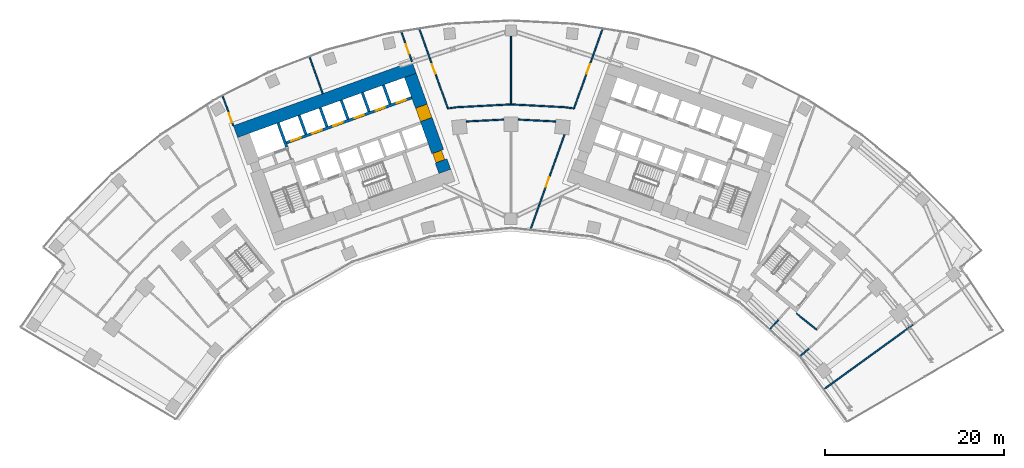
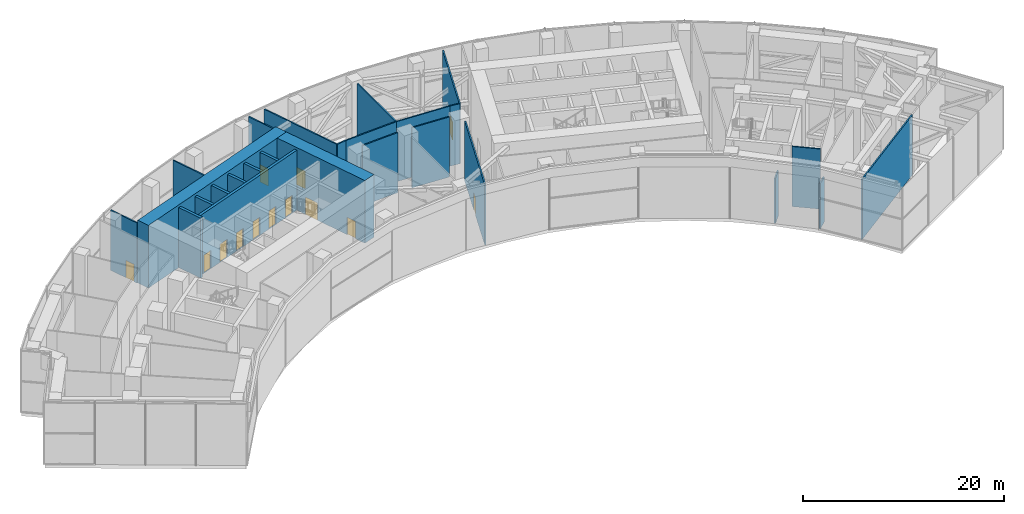
# One storey, part 26 of 33: 26 walls, 13 doors, 13 openings.
"""IFC4 building model written with IfcOpenShell, lengths in metres."""

from ifc_helpers import new_model, si_unit, direction, frame, frame_2d, origin, place, context, subcontext, project, spatial, rectangle, extrude, material, layer, layer_set, type_object, element, fill, save


model = new_model("IFC4")

# Units and contexts
model_context = context("Model", 3, precision=1e-05, world=origin(), true_north=direction((0.0, 1.0)))
body_context = subcontext(model_context, "Body", "Model", "MODEL_VIEW")
ifc_project = project(units=[si_unit("LENGTHUNIT", "METRE"), si_unit("AREAUNIT", "SQUARE_METRE"), si_unit("VOLUMEUNIT", "CUBIC_METRE"), si_unit("PLANEANGLEUNIT", "RADIAN"), si_unit("MASSUNIT", "GRAM", prefix="KILO")], contexts=[model_context])

# Site, building, storey
site_placement = place(None, origin())
site = spatial("IfcSite", under=ifc_project, at=site_placement, CompositionType="ELEMENT")
building_placement = place(site_placement, origin())
building = spatial("IfcBuilding", under=site, at=building_placement, Name="Stone Belt Terrace Tower", CompositionType="ELEMENT")
storey_placement = place(building_placement, frame((0.0, 0.0, 79.39990234375)))
storey = spatial("IfcBuildingStorey", under=building, at=storey_placement, Name="L19", CompositionType="ELEMENT", Elevation=79.39990234375)

# Wall
ifc_material_1 = material(Name="Concrete B80", Category="concrete")
ifc_layer_1 = layer(ifc_material_1, 1.39990234375)
ifc_layer_set_1 = layer_set([ifc_layer_1], Name="Core wall 1400 B80")
wall_type_1 = type_object("IfcWallType", Name="Core wall 1400 B80", PredefinedType="SHEAR", material=ifc_layer_set_1)
wall_1_placement = place(storey_placement, frame((-30.765380859375, 54.18310546875, 0.0), z_axis=(0.0, 0.0, 1.0), x_axis=(0.940919704758, 0.338629752382, 0.0)))
element("IfcWall", 1, at=wall_1_placement, inside=storey, type_object=wall_type_1, Name="Core A wall convex L19", PredefinedType="SHEAR", context=body_context, shape_type="SweptSolid", body=[
    extrude(rectangle(XDim=21.199951171875, YDim=1.39990234375, at=frame_2d((10.60009765625, 0.0))), origin(), (0.0, 0.0, 1.0), 7.60009765625),
])

# Wall, openings, doors
wall_2_placement = place(storey_placement, frame((-7.379150390625, 49.73974609375, 0.0), z_axis=(0.0, 0.0, 1.0), x_axis=(-0.338625431531, 0.940921259788, 0.0)))
wall_2 = element("IfcWall", 2, at=wall_2_placement, inside=storey, type_object=wall_type_1, Name="Core A wall end_b L19", PredefinedType="SHEAR", context=body_context, shape_type="SweptSolid", body=[
    extrude(rectangle(XDim=11.400146484375, YDim=1.39990234375, at=frame_2d((5.7001953125, 0.0))), origin(), (0.0, 0.0, 1.0), 7.60009765625),
])
opening_1_placement = place(wall_2_placement, frame((6.14990234375, 0.0, 0.0)))
opening_1 = element("IfcOpeningElement", 3, at=opening_1_placement, cuts=wall_2, Name="Opening L19-C03", PredefinedType="OPENING", context=body_context, shape_type="SweptSolid", body=[
    extrude(rectangle(XDim=1.60009765625, YDim=2.10009765625, at=frame_2d((0.800048828125, 1.050048828125))), frame((0.0, 0.7099609375, 0.0), z_axis=(0.0, -1.0, 0.0), x_axis=(1.0, 0.0, 0.0)), (0.0, 0.0, 1.0), 1.419921875),
])
opening_2_placement = place(wall_2_placement, frame((1.25, 0.0, 0.0)))
opening_2 = element("IfcOpeningElement", 4, at=opening_2_placement, cuts=wall_2, Name="Opening L19-C09", PredefinedType="OPENING", context=body_context, shape_type="SweptSolid", body=[
    extrude(rectangle(XDim=1.10009765625, YDim=2.10009765625, at=frame_2d((0.550048828125, 1.050048828125))), frame((0.0, 0.7099609375, 0.0), z_axis=(0.0, -1.0, 0.0), x_axis=(1.0, 0.0, 0.0)), (0.0, 0.0, 1.0), 1.419921875),
])
ifc_material_2 = material(Name="Timber door leaf", Category="wood")
door_type_1 = type_object("IfcDoorType", Name="Core room door 1100", OperationType="SINGLE_SWING_LEFT", PredefinedType="DOOR", material=ifc_material_2)
door_1_placement = place(opening_2_placement, origin())
door_1 = element("IfcDoor", 5, at=door_1_placement, inside=storey, type_object=door_type_1, Name="Door to Mechanical plant room core A", OperationType="SINGLE_SWING_LEFT", OverallHeight=2.10009765625, OverallWidth=1.10009765625, PredefinedType="DOOR", context=body_context, shape_type="SweptSolid", body=[
    extrude(rectangle(XDim=1.10009765625, YDim=2.10009765625, at=frame_2d((0.550048828125, 1.050048828125))), frame((0.0, 0.60498046875, 0.0), z_axis=(0.0, -1.0, 0.0), x_axis=(1.0, 0.0, 0.0)), (0.0, 0.0, 1.0), 1.050048828125),
])
fill(opening_2, door_1)
ifc_material_3 = material(Name="Glazed aluminium door leaf", Category="aluminium")
door_type_2 = type_object("IfcDoorType", Name="Lift lobby entrance door 1600", OperationType="DOUBLE_DOOR_SINGLE_SWING", PredefinedType="DOOR", material=ifc_material_3)
door_2_placement = place(opening_1_placement, origin())
door_2 = element("IfcDoor", 6, at=door_2_placement, inside=storey, type_object=door_type_2, Name="Lift lobby entrance door core A", OperationType="DOUBLE_DOOR_SINGLE_SWING", OverallHeight=2.10009765625, OverallWidth=1.60009765625, PredefinedType="DOOR", context=body_context, shape_type="SweptSolid", body=[
    extrude(rectangle(XDim=1.60009765625, YDim=2.10009765625, at=frame_2d((0.800048828125, 1.050048828125))), frame((0.0, 0.68017578125, 0.0), z_axis=(0.0, -1.0, 0.0), x_axis=(1.0, 0.0, 0.0)), (0.0, 0.0, 1.0), 1.360107421875),
])
fill(opening_1, door_2)

# Wall
ifc_layer_2 = layer(ifc_material_1, 0.300048828125)
ifc_layer_set_2 = layer_set([ifc_layer_2], Name="Lift shaft wall 300")
wall_type_2 = type_object("IfcWallType", Name="Lift shaft wall 300", PredefinedType="SHEAR", material=ifc_layer_set_2)
wall_3_placement = place(storey_placement, frame((-25.046875, 52.46826171875, 0.0), z_axis=(0.0, 0.0, 1.0), x_axis=(-0.338549588058, 0.940948551423, 0.0)))
element("IfcWall", 7, at=wall_3_placement, inside=storey, type_object=wall_type_2, Name="Core A wall", PredefinedType="SHEAR", context=body_context, shape_type="SweptSolid", body=[
    extrude(rectangle(XDim=2.849853515625, YDim=0.300048828125, at=frame_2d((1.4248046875, 0.0))), origin(), (0.0, 0.0, 1.0), 7.280029296875),
])

# Wall, openings, doors
wall_4_placement = place(storey_placement, frame((-25.05810546875, 52.9423828125, 0.0), z_axis=(0.0, 0.0, 1.0), x_axis=(0.940918215764, 0.338633889685, 0.0)))
wall_4 = element("IfcWall", 8, at=wall_4_placement, inside=storey, type_object=wall_type_2, Name="Core A wall", PredefinedType="SHEAR", context=body_context, shape_type="SweptSolid", body=[
    extrude(rectangle(XDim=14.850341796875, YDim=0.300048828125, at=frame_2d((7.42529296875, 0.0))), origin(), (0.0, 0.0, 1.0), 7.280029296875),
])
opening_3_placement = place(wall_4_placement, frame((0.570068359375, 0.0, 0.0)))
opening_3 = element("IfcOpeningElement", 9, at=opening_3_placement, cuts=wall_4, Name="Opening L19-LD01", PredefinedType="OPENING", context=body_context, shape_type="SweptSolid", body=[
    extrude(rectangle(XDim=1.10009765625, YDim=2.199951171875, at=frame_2d((0.550048828125, 1.10009765625))), frame((0.0, 0.159912109375, 0.0), z_axis=(0.0, -1.0, 0.0), x_axis=(1.0, 0.0, 0.0)), (0.0, 0.0, 1.0), 0.320068359375),
])
opening_4_placement = place(wall_4_placement, frame((3.070068359375, 0.0, 0.0)))
opening_4 = element("IfcOpeningElement", 10, at=opening_4_placement, cuts=wall_4, Name="Opening L19-LD02", PredefinedType="OPENING", context=body_context, shape_type="SweptSolid", body=[
    extrude(rectangle(XDim=1.10009765625, YDim=2.199951171875, at=frame_2d((0.550048828125, 1.10009765625))), frame((0.0, 0.159912109375, 0.0), z_axis=(0.0, -1.0, 0.0), x_axis=(1.0, 0.0, 0.0)), (0.0, 0.0, 1.0), 0.320068359375),
])
opening_5_placement = place(wall_4_placement, frame((5.570068359375, 0.0, 0.0)))
opening_5 = element("IfcOpeningElement", 11, at=opening_5_placement, cuts=wall_4, Name="Opening L19-LD03", PredefinedType="OPENING", context=body_context, shape_type="SweptSolid", body=[
    extrude(rectangle(XDim=1.10009765625, YDim=2.199951171875, at=frame_2d((0.550048828125, 1.10009765625))), frame((0.0, 0.159912109375, 0.0), z_axis=(0.0, -1.0, 0.0), x_axis=(1.0, 0.0, 0.0)), (0.0, 0.0, 1.0), 0.320068359375),
])
opening_6_placement = place(wall_4_placement, frame((8.070068359375, 0.0, 0.0)))
opening_6 = element("IfcOpeningElement", 12, at=opening_6_placement, cuts=wall_4, Name="Opening L19-LD04", PredefinedType="OPENING", context=body_context, shape_type="SweptSolid", body=[
    extrude(rectangle(XDim=1.10009765625, YDim=2.199951171875, at=frame_2d((0.550048828125, 1.10009765625))), frame((0.0, 0.159912109375, 0.0), z_axis=(0.0, -1.0, 0.0), x_axis=(1.0, 0.0, 0.0)), (0.0, 0.0, 1.0), 0.320068359375),
])
opening_7_placement = place(wall_4_placement, frame((10.570068359375, 0.0, 0.0)))
opening_7 = element("IfcOpeningElement", 13, at=opening_7_placement, cuts=wall_4, Name="Opening L19-LD05", PredefinedType="OPENING", context=body_context, shape_type="SweptSolid", body=[
    extrude(rectangle(XDim=1.10009765625, YDim=2.199951171875, at=frame_2d((0.550048828125, 1.10009765625))), frame((0.0, 0.159912109375, 0.0), z_axis=(0.0, -1.0, 0.0), x_axis=(1.0, 0.0, 0.0)), (0.0, 0.0, 1.0), 0.320068359375),
])
opening_8_placement = place(wall_4_placement, frame((13.070068359375, 0.0, 0.0)))
opening_8 = element("IfcOpeningElement", 14, at=opening_8_placement, cuts=wall_4, Name="Opening L19-LD06", PredefinedType="OPENING", context=body_context, shape_type="SweptSolid", body=[
    extrude(rectangle(XDim=1.10009765625, YDim=2.199951171875, at=frame_2d((0.550048828125, 1.10009765625))), frame((0.0, 0.159912109375, 0.0), z_axis=(0.0, -1.0, 0.0), x_axis=(1.0, 0.0, 0.0)), (0.0, 0.0, 1.0), 0.320068359375),
])
ifc_material_4 = material(Name="Stainless steel door leaf", Category="steel")
door_type_3 = type_object("IfcDoorType", Name="Landing door 1100", OperationType="SLIDING_TO_LEFT", PredefinedType="DOOR", material=ifc_material_4)
door_3_placement = place(opening_3_placement, origin())
door_3 = element("IfcDoor", 15, at=door_3_placement, inside=storey, type_object=door_type_3, Name="Landing door LR1 core A", OperationType="SLIDING_TO_LEFT", OverallHeight=2.199951171875, OverallWidth=1.10009765625, PredefinedType="DOOR", context=body_context, shape_type="SweptSolid", body=[
    extrude(rectangle(XDim=1.10009765625, YDim=2.199951171875, at=frame_2d((0.550048828125, 1.10009765625))), frame((0.0, 0.02490234375, 0.0), z_axis=(0.0, -1.0, 0.0), x_axis=(1.0, 0.0, 0.0)), (0.0, 0.0, 1.0), 0.050048828125),
])
fill(opening_3, door_3)
door_4_placement = place(opening_4_placement, origin())
door_4 = element("IfcDoor", 16, at=door_4_placement, inside=storey, type_object=door_type_3, Name="Landing door LR2 core A", OperationType="SLIDING_TO_LEFT", OverallHeight=2.199951171875, OverallWidth=1.10009765625, PredefinedType="DOOR", context=body_context, shape_type="SweptSolid", body=[
    extrude(rectangle(XDim=1.10009765625, YDim=2.199951171875, at=frame_2d((0.550048828125, 1.10009765625))), frame((0.0, 0.02490234375, 0.0), z_axis=(0.0, -1.0, 0.0), x_axis=(1.0, 0.0, 0.0)), (0.0, 0.0, 1.0), 0.050048828125),
])
fill(opening_4, door_4)
door_5_placement = place(opening_5_placement, origin())
door_5 = element("IfcDoor", 17, at=door_5_placement, inside=storey, type_object=door_type_3, Name="Landing door LR3 core A", OperationType="SLIDING_TO_LEFT", OverallHeight=2.199951171875, OverallWidth=1.10009765625, PredefinedType="DOOR", context=body_context, shape_type="SweptSolid", body=[
    extrude(rectangle(XDim=1.10009765625, YDim=2.199951171875, at=frame_2d((0.550048828125, 1.10009765625))), frame((0.0, 0.02490234375, 0.0), z_axis=(0.0, -1.0, 0.0), x_axis=(1.0, 0.0, 0.0)), (0.0, 0.0, 1.0), 0.050048828125),
])
fill(opening_5, door_5)
door_6_placement = place(opening_6_placement, origin())
door_6 = element("IfcDoor", 18, at=door_6_placement, inside=storey, type_object=door_type_3, Name="Landing door LR4 core A", OperationType="SLIDING_TO_LEFT", OverallHeight=2.199951171875, OverallWidth=1.10009765625, PredefinedType="DOOR", context=body_context, shape_type="SweptSolid", body=[
    extrude(rectangle(XDim=1.10009765625, YDim=2.199951171875, at=frame_2d((0.550048828125, 1.10009765625))), frame((0.0, 0.02490234375, 0.0), z_axis=(0.0, -1.0, 0.0), x_axis=(1.0, 0.0, 0.0)), (0.0, 0.0, 1.0), 0.050048828125),
])
fill(opening_6, door_6)
door_7_placement = place(opening_7_placement, origin())
door_7 = element("IfcDoor", 19, at=door_7_placement, inside=storey, type_object=door_type_3, Name="Landing door LR5 core A", OperationType="SLIDING_TO_LEFT", OverallHeight=2.199951171875, OverallWidth=1.10009765625, PredefinedType="DOOR", context=body_context, shape_type="SweptSolid", body=[
    extrude(rectangle(XDim=1.10009765625, YDim=2.199951171875, at=frame_2d((0.550048828125, 1.10009765625))), frame((0.0, 0.02490234375, 0.0), z_axis=(0.0, -1.0, 0.0), x_axis=(1.0, 0.0, 0.0)), (0.0, 0.0, 1.0), 0.050048828125),
])
fill(opening_7, door_7)
door_8_placement = place(opening_8_placement, origin())
door_8 = element("IfcDoor", 20, at=door_8_placement, inside=storey, type_object=door_type_3, Name="Landing door LR6 core A", OperationType="SLIDING_TO_LEFT", OverallHeight=2.199951171875, OverallWidth=1.10009765625, PredefinedType="DOOR", context=body_context, shape_type="SweptSolid", body=[
    extrude(rectangle(XDim=1.10009765625, YDim=2.199951171875, at=frame_2d((0.550048828125, 1.10009765625))), frame((0.0, 0.02490234375, 0.0), z_axis=(0.0, -1.0, 0.0), x_axis=(1.0, 0.0, 0.0)), (0.0, 0.0, 1.0), 0.050048828125),
])
fill(opening_8, door_8)

# Walls
wall_5_placement = place(storey_placement, frame((-22.897705078125, 53.87939453125, 0.0), z_axis=(0.0, 0.0, 1.0), x_axis=(-0.338535034312, 0.940953787677, 0.0)))
element("IfcWall", 21, at=wall_5_placement, inside=storey, type_object=wall_type_2, Name="Core A wall", PredefinedType="SHEAR", context=body_context, shape_type="SweptSolid", body=[
    extrude(rectangle(XDim=2.25, YDim=0.300048828125, at=frame_2d((1.125, 0.0))), origin(), (0.0, 0.0, 1.0), 7.280029296875),
])
wall_6_placement = place(storey_placement, frame((-20.54541015625, 54.72607421875, 0.0), z_axis=(0.0, 0.0, 1.0), x_axis=(-0.338569601369, 0.940941350472, 0.0)))
element("IfcWall", 22, at=wall_6_placement, inside=storey, type_object=wall_type_2, Name="Core A wall", PredefinedType="SHEAR", context=body_context, shape_type="SweptSolid", body=[
    extrude(rectangle(XDim=2.249755859375, YDim=0.300048828125, at=frame_2d((1.125, 0.0))), origin(), (0.0, 0.0, 1.0), 7.280029296875),
])
wall_7_placement = place(storey_placement, frame((-18.193115234375, 55.572509765625, 0.0), z_axis=(0.0, 0.0, 1.0), x_axis=(-0.338535034312, 0.940953787677, 0.0)))
element("IfcWall", 23, at=wall_7_placement, inside=storey, type_object=wall_type_2, Name="Core A wall", PredefinedType="SHEAR", context=body_context, shape_type="SweptSolid", body=[
    extrude(rectangle(XDim=2.25, YDim=0.300048828125, at=frame_2d((1.125, 0.0))), origin(), (0.0, 0.0, 1.0), 7.280029296875),
])
wall_8_placement = place(storey_placement, frame((-15.8408203125, 56.419189453125, 0.0), z_axis=(0.0, 0.0, 1.0), x_axis=(-0.338569601369, 0.940941350472, 0.0)))
element("IfcWall", 24, at=wall_8_placement, inside=storey, type_object=wall_type_2, Name="Core A wall", PredefinedType="SHEAR", context=body_context, shape_type="SweptSolid", body=[
    extrude(rectangle(XDim=2.249755859375, YDim=0.300048828125, at=frame_2d((1.125, 0.0))), origin(), (0.0, 0.0, 1.0), 7.280029296875),
])
wall_9_placement = place(storey_placement, frame((-13.48828125, 57.265625, 0.0), z_axis=(0.0, 0.0, 1.0), x_axis=(-0.338631098537, 0.940919220286, 0.0)))
element("IfcWall", 25, at=wall_9_placement, inside=storey, type_object=wall_type_2, Name="Core A wall", PredefinedType="SHEAR", context=body_context, shape_type="SweptSolid", body=[
    extrude(rectangle(XDim=2.250244140625, YDim=0.300048828125, at=frame_2d((1.125, 0.0))), origin(), (0.0, 0.0, 1.0), 7.280029296875),
])

# Wall, opening, door
ifc_material_5 = material(Name="Gypsum board partition")
ifc_layer_3 = layer(ifc_material_5, 0.14990234375)
ifc_layer_set_3 = layer_set([ifc_layer_3], Name="PARTITION 150 EI 60")
wall_type_3 = type_object("IfcWallType", Name="PARTITION 150 EI 60", PredefinedType="PARTITIONING", material=ifc_layer_set_3)
wall_10_placement = place(storey_placement, frame((-32.185791015625, 58.130126953125, 0.0), z_axis=(0.0, 0.0, 1.0), x_axis=(0.33875162747, -0.940875833937, 0.0)))
wall_10 = element("IfcWall", 26, at=wall_10_placement, inside=storey, type_object=wall_type_3, Name="L19/wall/i002", PredefinedType="PARTITIONING", context=body_context, shape_type="SweptSolid", body=[
    extrude(rectangle(XDim=3.49462890625, YDim=0.14990234375, at=frame_2d((1.747314453125, 0.0))), origin(), (0.0, 0.0, 1.0), 7.280029296875),
])
opening_9_placement = place(wall_10_placement, frame((2.0048828125, 0.0, 0.0)))
opening_9 = element("IfcOpeningElement", 27, at=opening_9_placement, cuts=wall_10, Name="Opening D-T1-04", PredefinedType="OPENING", context=body_context, shape_type="SweptSolid", body=[
    extrude(rectangle(XDim=1.10009765625, YDim=2.10009765625, at=frame_2d((0.550048828125, 1.050048828125))), frame((0.0, 0.0849609375, 0.0), z_axis=(0.0, -1.0, 0.0), x_axis=(1.0, 0.0, 0.0)), (0.0, 0.0, 1.0), 0.169921875),
])
ifc_material_6 = material(Name="Steel fire door set", Category="steel")
door_type_4 = type_object("IfcDoorType", Name="SERVICE ROOM DOOR 1100 X 2100", OperationType="NOTDEFINED", PredefinedType="DOOR", material=ifc_material_6)
door_9_placement = place(opening_9_placement, origin())
door_9 = element("IfcDoor", 28, at=door_9_placement, inside=storey, type_object=door_type_4, Name="L19/door/i04", OperationType="SINGLE_SWING_RIGHT", OverallHeight=2.10009765625, OverallWidth=1.10009765625, PredefinedType="DOOR", context=body_context, shape_type="SweptSolid", body=[
    extrude(rectangle(XDim=1.10009765625, YDim=2.10009765625, at=frame_2d((0.550048828125, 1.050048828125))), frame((0.0, 0.02490234375, 0.0), z_axis=(0.0, -1.0, 0.0), x_axis=(1.0, 0.0, 0.0)), (0.0, 0.0, 1.0), 0.050048828125),
])
fill(opening_9, door_9)

wall_11_placement = place(storey_placement, frame((-11.054931640625, 62.02099609375, 0.0), z_axis=(0.0, 0.0, 1.0), x_axis=(-0.338853532575, 0.94083913793, 0.0)))
wall_11 = element("IfcWall", 29, at=wall_11_placement, inside=storey, type_object=wall_type_3, Name="L19/wall/i007", PredefinedType="PARTITIONING", context=body_context, shape_type="SweptSolid", body=[
    extrude(rectangle(XDim=3.482177734375, YDim=0.14990234375, at=frame_2d((1.7412109375, 0.0))), origin(), (0.0, 0.0, 1.0), 7.280029296875),
])
opening_10_placement = place(wall_11_placement, frame((0.923828125, 0.0, 0.0)))
opening_10 = element("IfcOpeningElement", 30, at=opening_10_placement, cuts=wall_11, Name="Opening D-T1-05", PredefinedType="OPENING", context=body_context, shape_type="SweptSolid", body=[
    extrude(rectangle(XDim=1.10009765625, YDim=2.10009765625, at=frame_2d((0.550048828125, 1.050048828125))), frame((0.0, 0.0849609375, 0.0), z_axis=(0.0, -1.0, 0.0), x_axis=(1.0, 0.0, 0.0)), (0.0, 0.0, 1.0), 0.169921875),
])
door_10_placement = place(opening_10_placement, origin())
door_10 = element("IfcDoor", 31, at=door_10_placement, inside=storey, type_object=door_type_4, Name="L19/door/i05", OperationType="SINGLE_SWING_LEFT", OverallHeight=2.10009765625, OverallWidth=1.10009765625, PredefinedType="DOOR", context=body_context, shape_type="SweptSolid", body=[
    extrude(rectangle(XDim=1.10009765625, YDim=2.10009765625, at=frame_2d((0.550048828125, 1.050048828125))), frame((0.0, 0.02490234375, 0.0), z_axis=(0.0, -1.0, 0.0), x_axis=(1.0, 0.0, 0.0)), (0.0, 0.0, 1.0), 0.050048828125),
])
fill(opening_10, door_10)

wall_12_placement = place(storey_placement, frame((-10.223876953125, 65.6162109375, 0.0), z_axis=(0.0, 0.0, 1.0), x_axis=(0.338637655092, -0.940916860596, 0.0)))
wall_12 = element("IfcWall", 32, at=wall_12_placement, inside=storey, type_object=wall_type_3, Name="L19/wall/i009", PredefinedType="PARTITIONING", context=body_context, shape_type="SweptSolid", body=[
    extrude(rectangle(XDim=9.40478515625, YDim=0.14990234375, at=frame_2d((4.702392578125, 0.0))), origin(), (0.0, 0.0, 1.0), 7.280029296875),
])
opening_11_placement = place(wall_12_placement, frame((4.15234375, 0.0, 0.0)))
opening_11 = element("IfcOpeningElement", 33, at=opening_11_placement, cuts=wall_12, Name="Opening D-T1-31", PredefinedType="OPENING", context=body_context, shape_type="SweptSolid", body=[
    extrude(rectangle(XDim=1.10009765625, YDim=2.10009765625, at=frame_2d((0.550048828125, 1.050048828125))), frame((0.0, 0.0849609375, 0.0), z_axis=(0.0, -1.0, 0.0), x_axis=(1.0, 0.0, 0.0)), (0.0, 0.0, 1.0), 0.169921875),
])
door_11_placement = place(opening_11_placement, origin())
door_11 = element("IfcDoor", 34, at=door_11_placement, inside=storey, type_object=door_type_4, Name="L19/door/i31", OperationType="SINGLE_SWING_RIGHT", OverallHeight=2.10009765625, OverallWidth=1.10009765625, PredefinedType="DOOR", context=body_context, shape_type="SweptSolid", body=[
    extrude(rectangle(XDim=1.10009765625, YDim=2.10009765625, at=frame_2d((0.550048828125, 1.050048828125))), frame((0.0, 0.02490234375, 0.0), z_axis=(0.0, -1.0, 0.0), x_axis=(1.0, 0.0, 0.0)), (0.0, 0.0, 1.0), 0.050048828125),
])
fill(opening_11, door_11)

# Wall
wall_13_placement = place(storey_placement, frame((-22.492919921875, 62.4990234375, 0.0), z_axis=(0.0, 0.0, 1.0), x_axis=(0.338585491978, -0.94093563256, 0.0)))
element("IfcWall", 35, at=wall_13_placement, inside=storey, type_object=wall_type_3, Name="L19/wall/i015", PredefinedType="PARTITIONING", context=body_context, shape_type="SweptSolid", body=[
    extrude(rectangle(XDim=4.323486328125, YDim=0.14990234375, at=frame_2d((2.16162109375, 0.0))), origin(), (0.0, 0.0, 1.0), 7.280029296875),
])

# Wall, opening, door
wall_14_placement = place(storey_placement, frame((2.181884765625, 43.270751953125, 0.0), z_axis=(0.0, 0.0, 1.0), x_axis=(0.338660972621, 0.940908468249, 0.0)))
wall_14 = element("IfcWall", 36, at=wall_14_placement, inside=storey, type_object=wall_type_3, Name="L19/wall/i018", PredefinedType="PARTITIONING", context=body_context, shape_type="SweptSolid", body=[
    extrude(rectangle(XDim=11.232421875, YDim=0.14990234375, at=frame_2d((5.6162109375, 0.0))), origin(), (0.0, 0.0, 1.0), 7.280029296875),
])
opening_12_placement = place(wall_14_placement, frame((5.066162109375, 0.0, 0.0)))
opening_12 = element("IfcOpeningElement", 37, at=opening_12_placement, cuts=wall_14, Name="Opening D-T1-30", PredefinedType="OPENING", context=body_context, shape_type="SweptSolid", body=[
    extrude(rectangle(XDim=1.10009765625, YDim=2.10009765625, at=frame_2d((0.550048828125, 1.050048828125))), frame((0.0, 0.0849609375, 0.0), z_axis=(0.0, -1.0, 0.0), x_axis=(1.0, 0.0, 0.0)), (0.0, 0.0, 1.0), 0.169921875),
])
door_12_placement = place(opening_12_placement, origin())
door_12 = element("IfcDoor", 38, at=door_12_placement, inside=storey, type_object=door_type_4, Name="L19/door/i30", OperationType="SINGLE_SWING_LEFT", OverallHeight=2.10009765625, OverallWidth=1.10009765625, PredefinedType="DOOR", context=body_context, shape_type="SweptSolid", body=[
    extrude(rectangle(XDim=1.10009765625, YDim=2.10009765625, at=frame_2d((0.550048828125, 1.050048828125))), frame((0.0, 0.02490234375, 0.0), z_axis=(0.0, -1.0, 0.0), x_axis=(1.0, 0.0, 0.0)), (0.0, 0.0, 1.0), 0.050048828125),
])
fill(opening_12, door_12)

wall_15_placement = place(storey_placement, frame((7.0390625, 56.76708984375, 0.0), z_axis=(0.0, 0.0, 1.0), x_axis=(0.338637655092, 0.940916860596, 0.0)))
wall_15 = element("IfcWall", 39, at=wall_15_placement, inside=storey, type_object=wall_type_3, Name="L19/wall/i019", PredefinedType="PARTITIONING", context=body_context, shape_type="SweptSolid", body=[
    extrude(rectangle(XDim=9.40478515625, YDim=0.14990234375, at=frame_2d((4.702392578125, 0.0))), origin(), (0.0, 0.0, 1.0), 7.280029296875),
])
opening_13_placement = place(wall_15_placement, frame((4.15234375, 0.0, 0.0)))
opening_13 = element("IfcOpeningElement", 40, at=opening_13_placement, cuts=wall_15, Name="Opening D-T1-32", PredefinedType="OPENING", context=body_context, shape_type="SweptSolid", body=[
    extrude(rectangle(XDim=1.10009765625, YDim=2.10009765625, at=frame_2d((0.550048828125, 1.050048828125))), frame((0.0, 0.0849609375, 0.0), z_axis=(0.0, -1.0, 0.0), x_axis=(1.0, 0.0, 0.0)), (0.0, 0.0, 1.0), 0.169921875),
])
door_13_placement = place(opening_13_placement, origin())
door_13 = element("IfcDoor", 41, at=door_13_placement, inside=storey, type_object=door_type_4, Name="L19/door/i32", OperationType="SINGLE_SWING_RIGHT", OverallHeight=2.10009765625, OverallWidth=1.10009765625, PredefinedType="DOOR", context=body_context, shape_type="SweptSolid", body=[
    extrude(rectangle(XDim=1.10009765625, YDim=2.10009765625, at=frame_2d((0.550048828125, 1.050048828125))), frame((0.0, 0.02490234375, 0.0), z_axis=(0.0, -1.0, 0.0), x_axis=(1.0, 0.0, 0.0)), (0.0, 0.0, 1.0), 0.050048828125),
])
fill(opening_13, door_13)

# Walls
wall_16_placement = place(storey_placement, frame((35.006103515625, 25.43310546875, 0.0), z_axis=(0.0, 0.0, 1.0), x_axis=(0.809036127817, 0.587758916468, 0.0)))
element("IfcWall", 42, at=wall_16_placement, inside=storey, type_object=wall_type_3, Name="L19/wall/i056", PredefinedType="PARTITIONING", context=body_context, shape_type="SweptSolid", body=[
    extrude(rectangle(XDim=12.310791015625, YDim=0.14990234375, at=frame_2d((6.1552734375, 0.0))), origin(), (0.0, 0.0, 1.0), 7.280029296875),
])
wall_17_placement = place(storey_placement, frame((34.133056640625, 32.055908203125, 0.0), z_axis=(0.0, 0.0, 1.0), x_axis=(-0.776369956068, 0.630277471686, 0.0)))
element("IfcWall", 43, at=wall_17_placement, inside=storey, type_object=wall_type_3, Name="L19/wall/i069", PredefinedType="PARTITIONING", context=body_context, shape_type="SweptSolid", body=[
    extrude(rectangle(XDim=2.8876953125, YDim=0.14990234375, at=frame_2d((1.44384765625, 0.0))), origin(), (0.0, 0.0, 1.0), 7.280029296875),
])
wall_18_placement = place(storey_placement, frame((29.87646484375, 33.18115234375, 0.0), z_axis=(0.0, 0.0, 1.0), x_axis=(-0.669110489382, -0.743162938391, 0.0)))
element("IfcWall", 44, at=wall_18_placement, inside=storey, type_object=wall_type_3, Name="L19/wall/i070-2", PredefinedType="PARTITIONING", context=body_context, shape_type="SweptSolid", body=[
    extrude(rectangle(XDim=1.387939453125, YDim=0.14990234375, at=frame_2d((0.69384765625, 0.0))), origin(), (0.0, 0.0, 1.0), 5.47998046875),
])
wall_19_placement = place(storey_placement, frame((33.249755859375, 29.938232421875, 0.0), z_axis=(0.0, 0.0, 1.0), x_axis=(-0.743186626904, -0.669084178255, 0.0)))
element("IfcWall", 45, at=wall_19_placement, inside=storey, type_object=wall_type_3, Name="L19/wall/i071-2", PredefinedType="PARTITIONING", context=body_context, shape_type="SweptSolid", body=[
    extrude(rectangle(XDim=1.2421875, YDim=0.14990234375, at=frame_2d((0.62109375, 0.0))), origin(), (0.0, 0.0, 1.0), 5.47998046875),
])
for number, where, z_axis, x_axis, name in (
    (46, (-0.830078125, 55.531494140625, 0.0), (0.0, 0.0, 1.0), (-0.998634659291, -0.052238082501, 0.0), "L19/wall/i075"),
    (47, (4.979248046875, 55.314453125, 0.0), (0.0, 0.0, 1.0), (-0.998634659291, 0.052238082501, 0.0), "L19/wall/i076"),
):
    element("IfcWall", number, at=place(storey_placement, frame(where, z_axis=z_axis, x_axis=x_axis)), inside=storey, type_object=wall_type_3, Name=name, PredefinedType="PARTITIONING", context=body_context, shape_type="SweptSolid", body=[
        extrude(rectangle(XDim=4.15478515625, YDim=0.14990234375, at=frame_2d((2.077392578125, 0.0))), origin(), (0.0, 0.0, 1.0), 7.280029296875),
    ])
wall_20_placement = place(storey_placement, frame((-7.041015625, 56.77294921875, 0.0), z_axis=(0.0, 0.0, 1.0), x_axis=(0.991477617634, 0.130277142013, 0.0)))
element("IfcWall", 48, at=wall_20_placement, inside=storey, type_object=wall_type_3, Name="L19/wall/i077", PredefinedType="PARTITIONING", context=body_context, shape_type="SweptSolid", body=[
    extrude(rectangle(XDim=1.068115234375, YDim=0.14990234375, at=frame_2d((0.5341796875, 0.0))), origin(), (0.0, 0.0, 1.0), 7.280029296875),
])
for number, where, z_axis, x_axis, name in (
    (49, (-5.98193359375, 56.912109375, 0.0), (0.0, 0.0, 1.0), (0.998633994648, 0.052250786921, 0.0), "L19/wall/i078"),
    (50, (0.0, 57.22509765625, 0.0), (0.0, 0.0, 1.0), (0.998633994648, -0.052250786921, 0.0), "L19/wall/i079"),
):
    element("IfcWall", number, at=place(storey_placement, frame(where, z_axis=z_axis, x_axis=x_axis)), inside=storey, type_object=wall_type_3, Name=name, PredefinedType="PARTITIONING", context=body_context, shape_type="SweptSolid", body=[
        extrude(rectangle(XDim=5.990234375, YDim=0.14990234375, at=frame_2d((2.9951171875, 0.0))), origin(), (0.0, 0.0, 1.0), 7.280029296875),
    ])
wall_21_placement = place(storey_placement, frame((5.98193359375, 56.912109375, 0.0), z_axis=(0.0, 0.0, 1.0), x_axis=(0.991477617634, -0.130277142013, 0.0)))
element("IfcWall", 51, at=wall_21_placement, inside=storey, type_object=wall_type_3, Name="L19/wall/i080", PredefinedType="PARTITIONING", context=body_context, shape_type="SweptSolid", body=[
    extrude(rectangle(XDim=1.068115234375, YDim=0.14990234375, at=frame_2d((0.5341796875, 0.0))), origin(), (0.0, 0.0, 1.0), 7.280029296875),
])
wall_22_placement = place(storey_placement, frame((0.0, 64.833984375, 0.0), z_axis=(0.0, 0.0, 1.0), x_axis=(0.0, -1.0, 0.0)))
element("IfcWall", 52, at=wall_22_placement, inside=storey, type_object=wall_type_3, Name="L19/wall/i082", PredefinedType="PARTITIONING", context=body_context, shape_type="SweptSolid", body=[
    extrude(rectangle(XDim=7.60888671875, YDim=0.14990234375, at=frame_2d((3.804443359375, 0.0))), origin(), (0.0, 0.0, 1.0), 7.280029296875),
])

save(model, "model.ifc")
